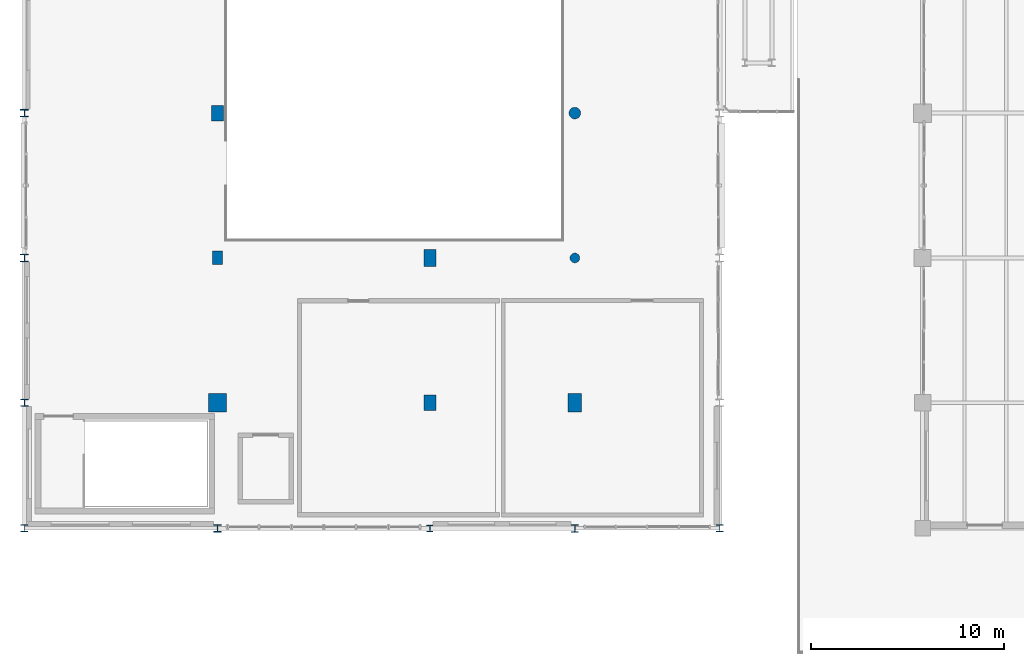
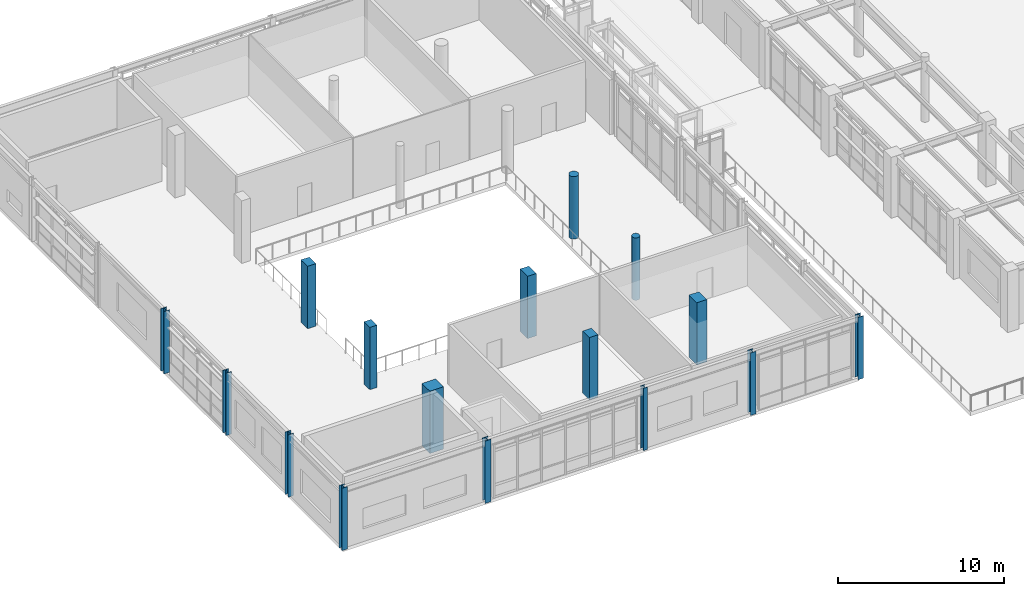
# One storey, part 1 of 200: 16 columns.
"""IFC4 building model written with IfcOpenShell, lengths in metres."""

from ifc_helpers import new_model, si_unit, direction, frame, origin, origin_2d, place, context, subcontext, project, spatial, rectangle, circle, i_section, extrude, material, material_profile, profile_set, type_object, element, save


model = new_model("IFC4")

# Units and contexts
model_context = context("Model", 3, precision=1e-05, world=origin(), true_north=direction((0.0, 1.0)))
body_context = subcontext(model_context, "Body", "Model", "MODEL_VIEW")
ifc_project = project(units=[si_unit("LENGTHUNIT", "METRE"), si_unit("AREAUNIT", "SQUARE_METRE"), si_unit("VOLUMEUNIT", "CUBIC_METRE"), si_unit("PLANEANGLEUNIT", "RADIAN"), si_unit("MASSUNIT", "GRAM", prefix="KILO"), si_unit("THERMODYNAMICTEMPERATUREUNIT", "KELVIN"), si_unit("POWERUNIT", "WATT")], contexts=[model_context])

# Site, building, storey
site_placement = place(None, origin())
site = spatial("IfcSite", under=ifc_project, at=site_placement, CompositionType="ELEMENT")
building_placement = place(site_placement, origin())
building = spatial("IfcBuilding", under=site, at=building_placement, Name="Tepalcoro Natatorium and Aquatics Centre", CompositionType="ELEMENT")
storey_placement = place(building_placement, frame((0.0, 0.0, 5.39990234375)))
storey = spatial("IfcBuildingStorey", under=building, at=storey_placement, Name="L01", CompositionType="ELEMENT", Elevation=5.39990234375)

# Columns
ifc_material_1 = material(Name="Concrete C40/50 (fc 40 MPa)", Category="concrete")
ifc_material_profile_1 = material_profile(ifc_material_1, rectangle(XDim=0.5, YDim=0.699951171875, at=origin_2d()), Name="RC500x700")
ifc_profile_set_1 = profile_set([ifc_material_profile_1], Name="Concrete C40/50 (fc 40 MPa)")
column_type_1 = type_object("IfcColumnType", Name="COL_RC_500x700", PredefinedType="COLUMN", material=ifc_profile_set_1)
column_1_placement = place(storey_placement, frame((10.0, 20.5, 0.0), z_axis=(0.0, 0.0, 1.0), x_axis=(1.0, 0.0, 0.0)))
element("IfcColumn", 1, at=column_1_placement, inside=storey, type_object=column_type_1, Name="V3 L01 Grid Column (10.0, 20.5)", PredefinedType="COLUMN", context=body_context, shape_type="SweptSolid", body=[
    extrude(rectangle(XDim=0.5, YDim=0.699951171875, at=origin_2d()), origin(), (0.0, 0.0, 1.0), 4.60009765625),
])
ifc_material_profile_2 = material_profile(ifc_material_1, rectangle(XDim=0.60009765625, YDim=0.800048828125, at=origin_2d()), Name="RC600x800")
ifc_profile_set_2 = profile_set([ifc_material_profile_2], Name="Concrete C40/50 (fc 40 MPa)")
column_type_2 = type_object("IfcColumnType", Name="COL_RC_600x800", PredefinedType="COLUMN", material=ifc_profile_set_2)
for number, where, z_axis, x_axis, name in (
    (2, (10.0, 28.0, 0.0), (0.0, 0.0, 1.0), (1.0, 0.0, 0.0), "V3 L01 Grid Column (10.0, 28.0)"),
    (3, (21.0, 13.0, 0.0), (0.0, 0.0, 1.0), (1.0, 0.0, 0.0), "V3 L01 Grid Column (21.0, 13.0)"),
):
    element("IfcColumn", number, at=place(storey_placement, frame(where, z_axis=z_axis, x_axis=x_axis)), inside=storey, type_object=column_type_2, Name=name, PredefinedType="COLUMN", context=body_context, shape_type="SweptSolid", body=[
        extrude(rectangle(XDim=0.60009765625, YDim=0.800048828125, at=origin_2d()), origin(), (0.0, 0.0, 1.0), 4.60009765625),
    ])
ifc_material_profile_3 = material_profile(ifc_material_1, rectangle(XDim=0.60009765625, YDim=0.89990234375, at=origin_2d()), Name="RC600x900")
ifc_profile_set_3 = profile_set([ifc_material_profile_3], Name="Concrete C40/50 (fc 40 MPa)")
column_type_3 = type_object("IfcColumnType", Name="COL_RC_600x900", PredefinedType="COLUMN", material=ifc_profile_set_3)
column_2_placement = place(storey_placement, frame((21.0, 20.5, 0.0), z_axis=(0.0, 0.0, 1.0), x_axis=(1.0, 0.0, 0.0)))
element("IfcColumn", 4, at=column_2_placement, inside=storey, type_object=column_type_3, Name="V3 L01 Grid Column (21.0, 20.5)", PredefinedType="COLUMN", context=body_context, shape_type="SweptSolid", body=[
    extrude(rectangle(XDim=0.60009765625, YDim=0.89990234375, at=origin_2d()), origin(), (0.0, 0.0, 1.0), 4.60009765625),
])
ifc_material_profile_4 = material_profile(ifc_material_1, rectangle(XDim=0.699951171875, YDim=0.949951171875, at=origin_2d()), Name="RC700x950")
ifc_profile_set_4 = profile_set([ifc_material_profile_4], Name="Concrete C40/50 (fc 40 MPa)")
column_type_4 = type_object("IfcColumnType", Name="COL_RC_700x950", PredefinedType="COLUMN", material=ifc_profile_set_4)
column_3_placement = place(storey_placement, frame((28.5, 13.0, 0.0), z_axis=(0.0, 0.0, 1.0), x_axis=(1.0, 0.0, 0.0)))
element("IfcColumn", 5, at=column_3_placement, inside=storey, type_object=column_type_4, Name="V3 L01 Grid Column (28.5, 13.0)", PredefinedType="COLUMN", context=body_context, shape_type="SweptSolid", body=[
    extrude(rectangle(XDim=0.699951171875, YDim=0.949951171875, at=origin_2d()), origin(), (0.0, 0.0, 1.0), 4.60009765625),
])
ifc_material_profile_5 = material_profile(ifc_material_1, rectangle(XDim=0.949951171875, YDim=0.949951171875, at=origin_2d()), Name="RC950x950")
ifc_profile_set_5 = profile_set([ifc_material_profile_5], Name="Concrete C40/50 (fc 40 MPa)")
column_type_5 = type_object("IfcColumnType", Name="COL_RC_950x950", PredefinedType="COLUMN", material=ifc_profile_set_5)
column_4_placement = place(storey_placement, frame((10.0, 13.0, 0.0), z_axis=(0.0, 0.0, 1.0), x_axis=(1.0, 0.0, 0.0)))
element("IfcColumn", 6, at=column_4_placement, inside=storey, type_object=column_type_5, Name="V3 L01 Grid Column (10.0, 13.0)", PredefinedType="COLUMN", context=body_context, shape_type="SweptSolid", body=[
    extrude(rectangle(XDim=0.949951171875, YDim=0.949951171875, at=origin_2d()), origin(), (0.0, 0.0, 1.0), 4.60009765625),
])
ifc_material_profile_6 = material_profile(ifc_material_1, circle(Radius=0.25, at=origin_2d()), Name="RCD500")
ifc_profile_set_6 = profile_set([ifc_material_profile_6], Name="Concrete C40/50 (fc 40 MPa)")
column_type_6 = type_object("IfcColumnType", Name="COL_RC_D500", PredefinedType="COLUMN", material=ifc_profile_set_6)
column_5_placement = place(storey_placement, frame((28.5, 20.5, 0.0), z_axis=(0.0, 0.0, 1.0), x_axis=(1.0, 0.0, 0.0)))
element("IfcColumn", 7, at=column_5_placement, inside=storey, type_object=column_type_6, Name="V3 L01 Grid Column (28.5, 20.5)", PredefinedType="COLUMN", context=body_context, shape_type="SweptSolid", body=[
    extrude(circle(Radius=0.25, at=origin_2d()), origin(), (0.0, 0.0, 1.0), 4.60009765625),
])
ifc_material_profile_7 = material_profile(ifc_material_1, circle(Radius=0.300048828125, at=origin_2d()), Name="RCD600")
ifc_profile_set_7 = profile_set([ifc_material_profile_7], Name="Concrete C40/50 (fc 40 MPa)")
column_type_7 = type_object("IfcColumnType", Name="COL_RC_D600", PredefinedType="COLUMN", material=ifc_profile_set_7)
column_6_placement = place(storey_placement, frame((28.5, 28.0, 0.0), z_axis=(0.0, 0.0, 1.0), x_axis=(1.0, 0.0, 0.0)))
element("IfcColumn", 8, at=column_6_placement, inside=storey, type_object=column_type_7, Name="V3 L01 Grid Column (28.5, 28.0)", PredefinedType="COLUMN", context=body_context, shape_type="SweptSolid", body=[
    extrude(circle(Radius=0.300048828125, at=origin_2d()), origin(), (0.0, 0.0, 1.0), 4.60009765625),
])
ifc_material_2 = material(Name="Steel ASTM A992 Grade 50 (Fy 345 MPa)", Category="steel")
ifc_material_profile_8 = material_profile(ifc_material_2, i_section(OverallWidth=0.31005859375, OverallDepth=0.327880859375, WebThickness=0.014892578125, FlangeThickness=0.02490234375, FilletRadius=0.013916015625, at=origin_2d()), Name="W12X106")
ifc_profile_set_8 = profile_set([ifc_material_profile_8], Name="Steel ASTM A992 Grade 50 (Fy 345 MPa)")
column_type_8 = type_object("IfcColumnType", Name="COL_W12x106", PredefinedType="COLUMN", material=ifc_profile_set_8)
column_7_placement = place(storey_placement, frame((21.0, 6.5, 0.0), z_axis=(0.0, 0.0, 1.0), x_axis=(1.0, 0.0, 0.0)))
element("IfcColumn", 9, at=column_7_placement, inside=storey, type_object=column_type_8, Name="V3 L01 Grid Column (21.0, 6.5)", PredefinedType="COLUMN", context=body_context, shape_type="SweptSolid", body=[
    extrude(i_section(OverallWidth=0.31005859375, OverallDepth=0.327880859375, WebThickness=0.014892578125, FlangeThickness=0.02490234375, FilletRadius=0.013916015625, at=origin_2d()), origin(), (0.0, 0.0, 1.0), 4.60009765625),
])
ifc_material_profile_9 = material_profile(ifc_material_2, i_section(OverallWidth=0.373046875, OverallDepth=0.367919921875, WebThickness=0.014892578125, FlangeThickness=0.02392578125, FilletRadius=0.013916015625, at=origin_2d()), Name="W14X120")
ifc_profile_set_9 = profile_set([ifc_material_profile_9], Name="Steel ASTM A992 Grade 50 (Fy 345 MPa)")
column_type_9 = type_object("IfcColumnType", Name="COL_W14x120", PredefinedType="COLUMN", material=ifc_profile_set_9)
for number, where, z_axis, x_axis, name in (
    (10, (0.0, 6.5, 0.0), (0.0, 0.0, 1.0), (1.0, 0.0, 0.0), "V3 L01 Grid Column (0.0, 6.5)"),
    (11, (36.0, 6.5, 0.0), (0.0, 0.0, 1.0), (1.0, 0.0, 0.0), "V3 L01 Grid Column (36.0, 6.5)"),
):
    element("IfcColumn", number, at=place(storey_placement, frame(where, z_axis=z_axis, x_axis=x_axis)), inside=storey, type_object=column_type_9, Name=name, PredefinedType="COLUMN", context=body_context, shape_type="SweptSolid", body=[
        extrude(i_section(OverallWidth=0.373046875, OverallDepth=0.367919921875, WebThickness=0.014892578125, FlangeThickness=0.02392578125, FilletRadius=0.013916015625, at=origin_2d()), origin(), (0.0, 0.0, 1.0), 4.60009765625),
    ])
ifc_material_profile_10 = material_profile(ifc_material_2, i_section(OverallWidth=0.3740234375, OverallDepth=0.373046875, WebThickness=0.01611328125, FlangeThickness=0.02587890625, FilletRadius=0.013916015625, at=origin_2d()), Name="W14X132")
ifc_profile_set_10 = profile_set([ifc_material_profile_10], Name="Steel ASTM A992 Grade 50 (Fy 345 MPa)")
column_type_10 = type_object("IfcColumnType", Name="COL_W14x132", PredefinedType="COLUMN", material=ifc_profile_set_10)
column_8_placement = place(storey_placement, frame((28.5, 6.5, 0.0), z_axis=(0.0, 0.0, 1.0), x_axis=(1.0, 0.0, 0.0)))
element("IfcColumn", 12, at=column_8_placement, inside=storey, type_object=column_type_10, Name="V3 L01 Grid Column (28.5, 6.5)", PredefinedType="COLUMN", context=body_context, shape_type="SweptSolid", body=[
    extrude(i_section(OverallWidth=0.3740234375, OverallDepth=0.373046875, WebThickness=0.01611328125, FlangeThickness=0.02587890625, FilletRadius=0.013916015625, at=origin_2d()), origin(), (0.0, 0.0, 1.0), 4.60009765625),
])
ifc_material_profile_11 = material_profile(ifc_material_2, i_section(OverallWidth=0.39404296875, OverallDepth=0.3759765625, WebThickness=0.01708984375, FlangeThickness=0.028076171875, FilletRadius=0.013916015625, at=origin_2d()), Name="W14X145")
ifc_profile_set_11 = profile_set([ifc_material_profile_11], Name="Steel ASTM A992 Grade 50 (Fy 345 MPa)")
column_type_11 = type_object("IfcColumnType", Name="COL_W14x145", PredefinedType="COLUMN", material=ifc_profile_set_11)
column_9_placement = place(storey_placement, frame((0.0, 13.0, 0.0), z_axis=(0.0, 0.0, 1.0), x_axis=(1.0, 0.0, 0.0)))
element("IfcColumn", 13, at=column_9_placement, inside=storey, type_object=column_type_11, Name="V3 L01 Grid Column (0.0, 13.0)", PredefinedType="COLUMN", context=body_context, shape_type="SweptSolid", body=[
    extrude(i_section(OverallWidth=0.39404296875, OverallDepth=0.3759765625, WebThickness=0.01708984375, FlangeThickness=0.028076171875, FilletRadius=0.013916015625, at=origin_2d()), origin(), (0.0, 0.0, 1.0), 4.60009765625),
])
ifc_material_profile_12 = material_profile(ifc_material_2, i_section(OverallWidth=0.39892578125, OverallDepth=0.385986328125, WebThickness=0.02099609375, FlangeThickness=0.032958984375, FilletRadius=0.013916015625, at=origin_2d()), Name="W14X176")
ifc_profile_set_12 = profile_set([ifc_material_profile_12], Name="Steel ASTM A992 Grade 50 (Fy 345 MPa)")
column_type_12 = type_object("IfcColumnType", Name="COL_W14x176", PredefinedType="COLUMN", material=ifc_profile_set_12)
column_10_placement = place(storey_placement, frame((0.0, 20.5, 0.0), z_axis=(0.0, 0.0, 1.0), x_axis=(1.0, 0.0, 0.0)))
element("IfcColumn", 14, at=column_10_placement, inside=storey, type_object=column_type_12, Name="V3 L01 Grid Column (0.0, 20.5)", PredefinedType="COLUMN", context=body_context, shape_type="SweptSolid", body=[
    extrude(i_section(OverallWidth=0.39892578125, OverallDepth=0.385986328125, WebThickness=0.02099609375, FlangeThickness=0.032958984375, FilletRadius=0.013916015625, at=origin_2d()), origin(), (0.0, 0.0, 1.0), 4.60009765625),
])
ifc_material_profile_13 = material_profile(ifc_material_2, i_section(OverallWidth=0.40087890625, OverallDepth=0.39892578125, WebThickness=0.02490234375, FlangeThickness=0.0400390625, FilletRadius=0.013916015625, at=origin_2d()), Name="W14X211")
ifc_profile_set_13 = profile_set([ifc_material_profile_13], Name="Steel ASTM A992 Grade 50 (Fy 345 MPa)")
column_type_13 = type_object("IfcColumnType", Name="COL_W14x211", PredefinedType="COLUMN", material=ifc_profile_set_13)
for number, where, z_axis, x_axis, name in (
    (15, (0.0, 28.0, 0.0), (0.0, 0.0, 1.0), (1.0, 0.0, 0.0), "V3 L01 Grid Column (0.0, 28.0)"),
    (16, (10.0, 6.5, 0.0), (0.0, 0.0, 1.0), (1.0, 0.0, 0.0), "V3 L01 Grid Column (10.0, 6.5)"),
):
    element("IfcColumn", number, at=place(storey_placement, frame(where, z_axis=z_axis, x_axis=x_axis)), inside=storey, type_object=column_type_13, Name=name, PredefinedType="COLUMN", context=body_context, shape_type="SweptSolid", body=[
        extrude(i_section(OverallWidth=0.40087890625, OverallDepth=0.39892578125, WebThickness=0.02490234375, FlangeThickness=0.0400390625, FilletRadius=0.013916015625, at=origin_2d()), origin(), (0.0, 0.0, 1.0), 4.60009765625),
    ])

save(model, "model.ifc")
